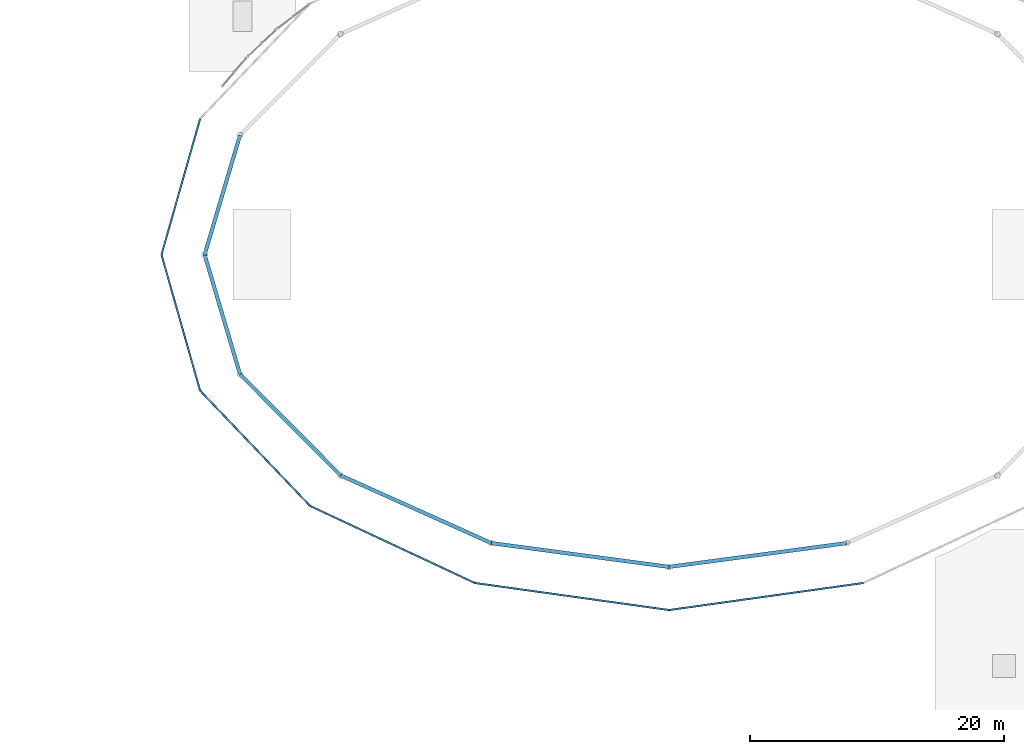
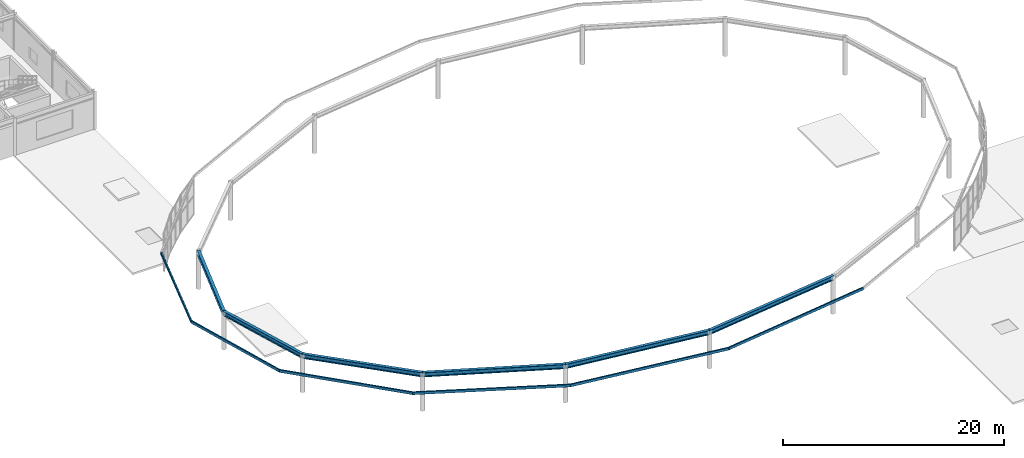
# One storey, part 20 of 73: 12 beams.
"""IFC4 building model written with IfcOpenShell, lengths in metres."""

from ifc_helpers import new_model, si_unit, derived_unit, direction, frame, origin, origin_2d, place, context, subcontext, project, spatial, hollow_rectangle, i_section, extrude, material, material_profile, profile_set, type_object, element, save


model = new_model("IFC4")

# Units and contexts
model_context = context("Model", 3, precision=1e-05, world=origin(), true_north=direction((0.0, 1.0)))
body_context = subcontext(model_context, "Body", "Model", "MODEL_VIEW")
ifc_project = project(units=[si_unit("LENGTHUNIT", "METRE"), si_unit("AREAUNIT", "SQUARE_METRE"), si_unit("VOLUMEUNIT", "CUBIC_METRE"), si_unit("PLANEANGLEUNIT", "RADIAN"), si_unit("MASSUNIT", "GRAM", prefix="KILO"), derived_unit("THERMALTRANSMITTANCEUNIT", [(si_unit("MASSUNIT", "GRAM", prefix="KILO"), 1), (si_unit("TIMEUNIT", "SECOND"), -3), (si_unit("THERMODYNAMICTEMPERATUREUNIT", "KELVIN"), -1)])], contexts=[model_context])

# Site, building, storey
site_placement = place(None, origin())
site = spatial("IfcSite", under=ifc_project, at=site_placement, CompositionType="ELEMENT")
building_placement = place(site_placement, origin())
building = spatial("IfcBuilding", under=site, at=building_placement, Name="Kharveza Railside Sports Centre", CompositionType="ELEMENT")
storey_placement = place(building_placement, frame((0.0, 0.0, 8.699951171875)))
storey = spatial("IfcBuildingStorey", under=building, at=storey_placement, Name="L02", CompositionType="ELEMENT", Elevation=8.699951171875)

# Beams
ifc_material = material(Name="Steel S355J2", Category="steel")
ifc_material_profile_1 = material_profile(ifc_material, i_section(OverallWidth=0.300048828125, OverallDepth=0.489990234375, WebThickness=0.011962890625, FlangeThickness=0.02294921875, FilletRadius=0.027099609375, at=origin_2d()), Name="HEA 500")
ifc_profile_set_1 = profile_set([ifc_material_profile_1], Name="Steel S355J2")
beam_type_1 = type_object("IfcBeamType", Name="BM-G08", PredefinedType="T_BEAM", material=ifc_profile_set_1)
beam_1_placement = place(storey_placement, frame((20.785888671875, 59.81396484375, 3.949951171875), z_axis=(-0.283764031332, -0.958894141458, 0.0), x_axis=(0.958894141458, -0.283764031332, 0.0)))
element("IfcBeam", 1, at=beam_1_placement, inside=storey, type_object=beam_type_1, Name="BM-DRING-L02-08", PredefinedType="T_BEAM", context=body_context, shape_type="SweptSolid", body=[
    extrude(i_section(OverallWidth=0.300048828125, OverallDepth=0.489990234375, WebThickness=0.011962890625, FlangeThickness=0.02294921875, FilletRadius=0.027099609375, at=origin_2d()), origin(), (0.0, 0.0, 1.0), 9.817626953125),
])
beam_2_placement = place(storey_placement, frame((18.0, 50.39990234375, 3.949951171875), z_axis=(0.283770797949, -0.958892138998, 0.0), x_axis=(0.958892138998, 0.283770797949, 0.0)))
element("IfcBeam", 2, at=beam_2_placement, inside=storey, type_object=beam_type_1, Name="BM-DRING-L02-09", PredefinedType="T_BEAM", context=body_context, shape_type="SweptSolid", body=[
    extrude(i_section(OverallWidth=0.300048828125, OverallDepth=0.489990234375, WebThickness=0.011962890625, FlangeThickness=0.02294921875, FilletRadius=0.027099609375, at=origin_2d()), origin(), (0.0, 0.0, 1.0), 9.8173828125),
])
beam_3_placement = place(storey_placement, frame((20.785888671875, 40.986083984375, 3.949951171875), z_axis=(0.705021062231, -0.709186366064, 0.0), x_axis=(0.709186366064, 0.705021062231, 0.0)))
element("IfcBeam", 3, at=beam_3_placement, inside=storey, type_object=beam_type_1, Name="BM-DRING-L02-10", PredefinedType="T_BEAM", context=body_context, shape_type="SweptSolid", body=[
    extrude(i_section(OverallWidth=0.300048828125, OverallDepth=0.489990234375, WebThickness=0.011962890625, FlangeThickness=0.02294921875, FilletRadius=0.027099609375, at=origin_2d()), origin(), (0.0, 0.0, 1.0), 11.253662109375),
])
beam_4_placement = place(storey_placement, frame((28.719970703125, 33.005126953125, 3.949951171875), z_axis=(0.912228335917, -0.409682148928, 0.0), x_axis=(0.409682148928, 0.912228335917, 0.0)))
element("IfcBeam", 4, at=beam_4_placement, inside=storey, type_object=beam_type_1, Name="BM-DRING-L02-11", PredefinedType="T_BEAM", context=body_context, shape_type="SweptSolid", body=[
    extrude(i_section(OverallWidth=0.300048828125, OverallDepth=0.489990234375, WebThickness=0.011962890625, FlangeThickness=0.02294921875, FilletRadius=0.027099609375, at=origin_2d()), origin(), (0.0, 0.0, 1.0), 13.016357421875),
])
beam_5_placement = place(storey_placement, frame((40.59375, 27.672607421875, 3.949951171875), z_axis=(0.991181062463, -0.132514532841, 0.0), x_axis=(0.132514532841, 0.991181062463, 0.0)))
element("IfcBeam", 5, at=beam_5_placement, inside=storey, type_object=beam_type_1, Name="BM-DRING-L02-12", PredefinedType="T_BEAM", context=body_context, shape_type="SweptSolid", body=[
    extrude(i_section(OverallWidth=0.300048828125, OverallDepth=0.489990234375, WebThickness=0.011962890625, FlangeThickness=0.02294921875, FilletRadius=0.027099609375, at=origin_2d()), origin(), (0.0, 0.0, 1.0), 14.130859375),
])
beam_6_placement = place(storey_placement, frame((54.60009765625, 25.800048828125, 3.949951171875), z_axis=(0.99118075907, 0.132516802142, 0.0), x_axis=(-0.132516802142, 0.99118075907, 0.0)))
element("IfcBeam", 6, at=beam_6_placement, inside=storey, type_object=beam_type_1, Name="BM-DRING-L02-13", PredefinedType="T_BEAM", context=body_context, shape_type="SweptSolid", body=[
    extrude(i_section(OverallWidth=0.300048828125, OverallDepth=0.489990234375, WebThickness=0.011962890625, FlangeThickness=0.02294921875, FilletRadius=0.027099609375, at=origin_2d()), origin(), (0.0, 0.0, 1.0), 14.130615234375),
])
ifc_material_profile_2 = material_profile(ifc_material, hollow_rectangle(XDim=0.14990234375, YDim=0.300048828125, WallThickness=0.012451171875, InnerFilletRadius=0.012451171875, OuterFilletRadius=0.02490234375, at=origin_2d()), Name="RHS 150x300x12.5")
ifc_profile_set_2 = profile_set([ifc_material_profile_2], Name="Steel S355J2")
beam_type_2 = type_object("IfcBeamType", Name="BM-SP03", PredefinedType="SPANDREL", material=ifc_profile_set_2)
beam_7_placement = place(storey_placement, frame((17.644775390625, 61.115234375, 4.150146484375), z_axis=(-0.273322719706, -0.961922393384, 0.0), x_axis=(0.961922393384, -0.273322719706, 0.0)))
element("IfcBeam", 7, at=beam_7_placement, inside=storey, type_object=beam_type_2, Name="BM-DCLER-HEAD-08", PredefinedType="SPANDREL", context=body_context, shape_type="SweptSolid", body=[
    extrude(hollow_rectangle(XDim=0.14990234375, YDim=0.300048828125, WallThickness=0.012451171875, InnerFilletRadius=0.012451171875, OuterFilletRadius=0.02490234375, at=origin_2d()), origin(), (0.0, 0.0, 1.0), 11.139404296875),
])
beam_8_placement = place(storey_placement, frame((14.60009765625, 50.39990234375, 4.150146484375), z_axis=(0.273328482047, -0.961920756041, 0.0), x_axis=(0.961920756041, 0.273328482047, 0.0)))
element("IfcBeam", 8, at=beam_8_placement, inside=storey, type_object=beam_type_2, Name="BM-DCLER-HEAD-09", PredefinedType="SPANDREL", context=body_context, shape_type="SweptSolid", body=[
    extrude(hollow_rectangle(XDim=0.14990234375, YDim=0.300048828125, WallThickness=0.012451171875, InnerFilletRadius=0.012451171875, OuterFilletRadius=0.02490234375, at=origin_2d()), origin(), (0.0, 0.0, 1.0), 11.13916015625),
])
beam_9_placement = place(storey_placement, frame((17.644775390625, 39.684814453125, 4.150146484375), z_axis=(0.69047805862, -0.723353337287, 0.0), x_axis=(0.723353337287, 0.69047805862, 0.0)))
element("IfcBeam", 9, at=beam_9_placement, inside=storey, type_object=beam_type_2, Name="BM-DCLER-HEAD-10", PredefinedType="SPANDREL", context=body_context, shape_type="SweptSolid", body=[
    extrude(hollow_rectangle(XDim=0.14990234375, YDim=0.300048828125, WallThickness=0.012451171875, InnerFilletRadius=0.012451171875, OuterFilletRadius=0.02490234375, at=origin_2d()), origin(), (0.0, 0.0, 1.0), 12.557861328125),
])
beam_10_placement = place(storey_placement, frame((26.315673828125, 30.60107421875, 4.150146484375), z_axis=(0.905818403769, -0.423666165032, 0.0), x_axis=(0.423666165032, 0.905818403769, 0.0)))
element("IfcBeam", 10, at=beam_10_placement, inside=storey, type_object=beam_type_2, Name="BM-DCLER-HEAD-11", PredefinedType="SPANDREL", context=body_context, shape_type="SweptSolid", body=[
    extrude(hollow_rectangle(XDim=0.14990234375, YDim=0.300048828125, WallThickness=0.012451171875, InnerFilletRadius=0.012451171875, OuterFilletRadius=0.02490234375, at=origin_2d()), origin(), (0.0, 0.0, 1.0), 14.326416015625),
])
beam_11_placement = place(storey_placement, frame((39.292724609375, 24.531494140625, 4.150146484375), z_axis=(0.990443121675, -0.137921799316, 0.0), x_axis=(0.137921799316, 0.990443121675, 0.0)))
element("IfcBeam", 11, at=beam_11_placement, inside=storey, type_object=beam_type_2, Name="BM-DCLER-HEAD-12", PredefinedType="SPANDREL", context=body_context, shape_type="SweptSolid", body=[
    extrude(hollow_rectangle(XDim=0.14990234375, YDim=0.300048828125, WallThickness=0.012451171875, InnerFilletRadius=0.012451171875, OuterFilletRadius=0.02490234375, at=origin_2d()), origin(), (0.0, 0.0, 1.0), 15.455078125),
])
beam_12_placement = place(storey_placement, frame((54.60009765625, 22.39990234375, 4.150146484375), z_axis=(0.990442821175, 0.13792395725, 0.0), x_axis=(-0.13792395725, 0.990442821175, 0.0)))
element("IfcBeam", 12, at=beam_12_placement, inside=storey, type_object=beam_type_2, Name="BM-DCLER-HEAD-13", PredefinedType="SPANDREL", context=body_context, shape_type="SweptSolid", body=[
    extrude(hollow_rectangle(XDim=0.14990234375, YDim=0.300048828125, WallThickness=0.012451171875, InnerFilletRadius=0.012451171875, OuterFilletRadius=0.02490234375, at=origin_2d()), origin(), (0.0, 0.0, 1.0), 15.454833984375),
])

save(model, "model.ifc")
